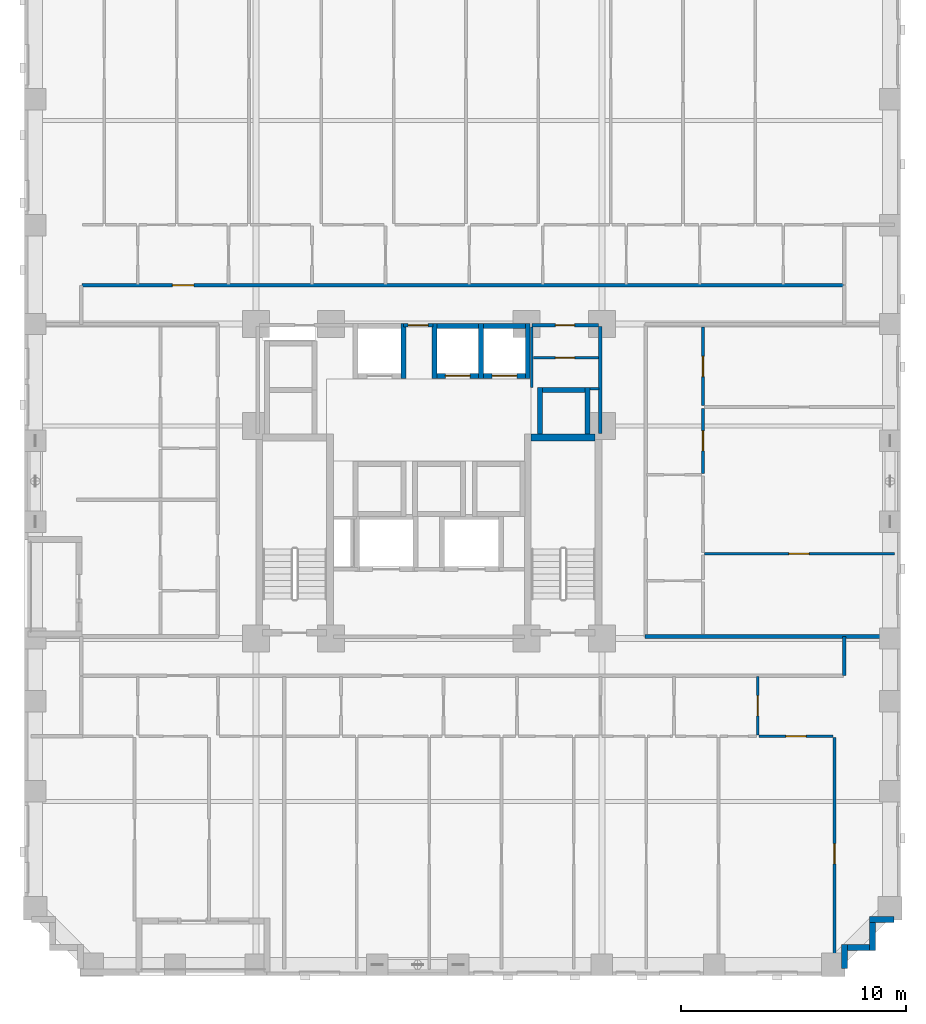
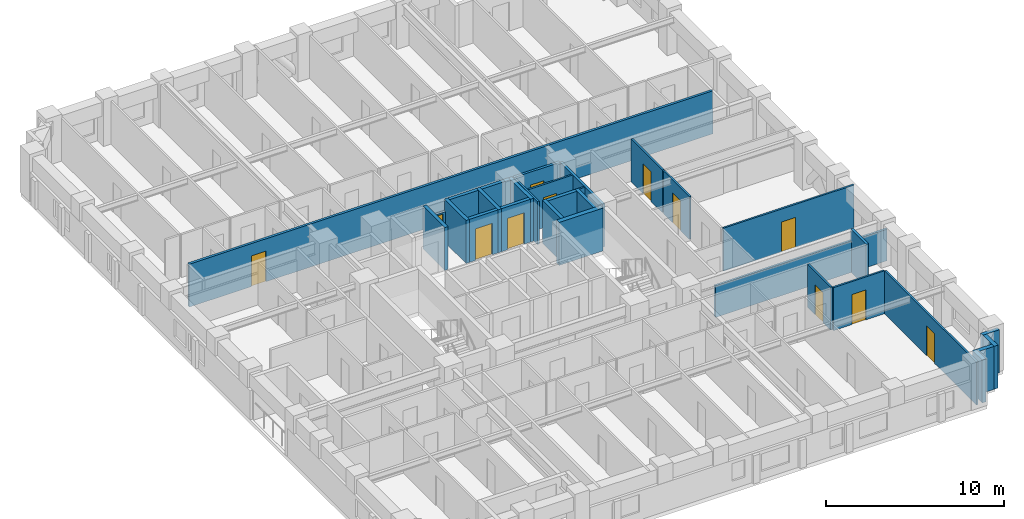
# One storey, part 6 of 14: 31 walls, 12 doors, 12 openings.
"""IFC4 building model written with IfcOpenShell, lengths in metres."""

from ifc_helpers import new_model, si_unit, derived_unit, direction, frame, frame_2d, origin, place, context, subcontext, project, spatial, rectangle, extrude, material, layer, layer_set, type_object, element, fill, save


model = new_model("IFC4")

# Units and contexts
model_context = context("Model", 3, precision=1e-05, world=origin(), true_north=direction((0.0, 1.0)))
body_context = subcontext(model_context, "Body", "Model", "MODEL_VIEW")
ifc_project = project(units=[si_unit("LENGTHUNIT", "METRE"), si_unit("AREAUNIT", "SQUARE_METRE"), si_unit("VOLUMEUNIT", "CUBIC_METRE"), si_unit("PLANEANGLEUNIT", "RADIAN"), si_unit("MASSUNIT", "GRAM", prefix="KILO"), derived_unit("THERMALTRANSMITTANCEUNIT", [(si_unit("MASSUNIT", "GRAM", prefix="KILO"), 1), (si_unit("TIMEUNIT", "SECOND"), -3), (si_unit("THERMODYNAMICTEMPERATUREUNIT", "KELVIN"), -1)])], contexts=[model_context])

# Site, building, storey
site_placement = place(None, origin())
site = spatial("IfcSite", under=ifc_project, at=site_placement, CompositionType="ELEMENT")
building_placement = place(site_placement, origin())
building = spatial("IfcBuilding", under=site, at=building_placement, Name="Korrvale Station Residences", CompositionType="ELEMENT")
storey_placement = place(building_placement, frame((0.0, 0.0, 41.800048828125)))
storey = spatial("IfcBuildingStorey", under=building, at=storey_placement, Name="L10", CompositionType="ELEMENT", Elevation=41.800048828125)

# Walls
ifc_material_1 = material(Name="Concrete C70/85", Category="concrete")
ifc_layer_1 = layer(ifc_material_1, 0.300048828125, Name="Concrete C70/85")
ifc_layer_set_1 = layer_set([ifc_layer_1], Name="Concrete C70/85")
wall_type_1 = type_object("IfcWallType", Name="WAL-CORE-300-C70", PredefinedType="SHEAR", material=ifc_layer_set_1)
wall_1_placement = place(storey_placement, frame((30.050048828125, 23.949951171875, 0.0), z_axis=(0.0, 0.0, 1.0), x_axis=(1.0, 0.0, 0.0)))
element("IfcWall", 1, at=wall_1_placement, inside=storey, type_object=wall_type_1, Name="L10 ST-2 Core Shear Wall North", PredefinedType="SHEAR", context=body_context, shape_type="SweptSolid", body=[
    extrude(rectangle(XDim=2.849853515625, YDim=0.300048828125, at=frame_2d((1.4248046875, 0.0))), origin(), (0.0, 0.0, 1.0), 2.93994140625),
])
ifc_material_2 = material(Name="Precast concrete C45/55", Category="concrete")
ifc_layer_2 = layer(ifc_material_2, 0.260009765625, Name="Precast concrete C45/55")
ifc_layer_set_2 = layer_set([ifc_layer_2], Name="Precast concrete C45/55")
wall_type_2 = type_object("IfcWallType", Name="WAL-EXT-LOG260", PredefinedType="SOLIDWALL", material=ifc_layer_set_2)
wall_2_placement = place(storey_placement, frame((46.197998046875, 2.5, 0.0), z_axis=(0.0, 0.0, 1.0), x_axis=(-1.0, 0.0, 0.0)))
element("IfcWall", 2, at=wall_2_placement, inside=storey, type_object=wall_type_2, Name="L10 Serrated Corner Precast Step SE-1", PredefinedType="SOLIDWALL", context=body_context, shape_type="SweptSolid", body=[
    extrude(rectangle(XDim=1.077880859375, YDim=0.260009765625, at=frame_2d((0.5390625, 0.0))), origin(), (0.0, 0.0, 1.0), 2.93994140625),
])
wall_3_placement = place(storey_placement, frame((45.25, 2.367919921875, 0.0), z_axis=(0.0, 0.0, 1.0), x_axis=(0.0, -1.0, 0.0)))
element("IfcWall", 3, at=wall_3_placement, inside=storey, type_object=wall_type_2, Name="L10 Serrated Corner Precast Step SE-2", PredefinedType="SOLIDWALL", context=body_context, shape_type="SweptSolid", body=[
    extrude(rectangle(XDim=1.247802734375, YDim=0.260009765625, at=frame_2d((0.6240234375, 0.0))), origin(), (0.0, 0.0, 1.0), 2.93994140625),
])
wall_4_placement = place(storey_placement, frame((45.117919921875, 1.25, 0.0), z_axis=(0.0, 0.0, 1.0), x_axis=(-1.0, 0.0, 0.0)))
element("IfcWall", 4, at=wall_4_placement, inside=storey, type_object=wall_type_2, Name="L10 Serrated Corner Precast Step SE-3", PredefinedType="SOLIDWALL", context=body_context, shape_type="SweptSolid", body=[
    extrude(rectangle(XDim=0.98583984375, YDim=0.260009765625, at=frame_2d((0.492919921875, 0.0))), origin(), (0.0, 0.0, 1.0), 2.93994140625),
])
wall_5_placement = place(storey_placement, frame((44.0, 1.3798828125, 0.0), z_axis=(0.0, 0.0, 1.0), x_axis=(0.0, -1.0, 0.0)))
element("IfcWall", 5, at=wall_5_placement, inside=storey, type_object=wall_type_2, Name="L10 Serrated Corner Precast Step SE-4", PredefinedType="SOLIDWALL", context=body_context, shape_type="SweptSolid", body=[
    extrude(rectangle(XDim=1.077880859375, YDim=0.260009765625, at=frame_2d((0.5390625, 0.0))), origin(), (0.0, 0.0, 1.0), 2.93994140625),
])
ifc_material_3 = material(Name="Acoustic steel-stud gypsum board partition", Category="steel")
ifc_layer_3 = layer(ifc_material_3, 0.1201171875, Name="Acoustic steel-stud gypsum board partition")
ifc_layer_set_3 = layer_set([ifc_layer_3], Name="Acoustic steel-stud gypsum board partition")
wall_type_3 = type_object("IfcWallType", Name="WAL-PART-125", PredefinedType="PARTITIONING", material=ifc_layer_set_3)
wall_6_placement = place(storey_placement, frame((30.080078125, 26.179931640625, 0.0), z_axis=(0.0, 0.0, 1.0), x_axis=(0.0, 1.0, 0.0)))
element("IfcWall", 6, at=wall_6_placement, inside=storey, type_object=wall_type_3, Name="L10 Core Partition CW-CS-W", PredefinedType="PARTITIONING", context=body_context, shape_type="SweptSolid", body=[
    extrude(rectangle(XDim=2.68017578125, YDim=0.1201171875, at=frame_2d((1.340087890625, 0.0))), origin(), (0.0, 0.0, 1.0), 2.93994140625),
])
wall_7_placement = place(storey_placement, frame((32.679931640625, 26.1201171875, 0.0), z_axis=(0.0, 0.0, 1.0), x_axis=(1.0, 0.0, 0.0)))
element("IfcWall", 7, at=wall_7_placement, inside=storey, type_object=wall_type_3, Name="L10 Core Partition CW-CS-S", PredefinedType="PARTITIONING", context=body_context, shape_type="SweptSolid", body=[
    extrude(rectangle(XDim=0.380126953125, YDim=0.1201171875, at=frame_2d((0.18994140625, 0.0))), origin(), (0.0, 0.0, 1.0), 2.93994140625),
])

# Wall, opening, door
wall_8_placement = place(storey_placement, frame((30.159912109375, 27.5, 0.0), z_axis=(0.0, 0.0, 1.0), x_axis=(1.0, 0.0, 0.0)))
wall_8 = element("IfcWall", 8, at=wall_8_placement, inside=storey, type_object=wall_type_3, Name="L10 Core Partition CW-CS-H", PredefinedType="PARTITIONING", context=body_context, shape_type="SweptSolid", body=[
    extrude(rectangle(XDim=2.880126953125, YDim=0.1201171875, at=frame_2d((1.43994140625, 0.0))), origin(), (0.0, 0.0, 1.0), 2.93994140625),
])
opening_1_placement = place(wall_8_placement, frame((0.969970703125, 0.0, 0.0)))
opening_1 = element("IfcOpeningElement", 9, at=opening_1_placement, cuts=wall_8, Name="Opening DB-860", PredefinedType="OPENING", context=body_context, shape_type="SweptSolid", body=[
    extrude(rectangle(XDim=0.860107421875, YDim=2.050048828125, at=frame_2d((0.43017578125, 1.02490234375))), frame((0.0, 0.070068359375, 0.0), z_axis=(0.0, -1.0, 0.0), x_axis=(1.0, 0.0, 0.0)), (0.0, 0.0, 1.0), 0.14013671875),
])
ifc_material_4 = material(Name="Moisture-resistant solid-core bathroom door", Category="timber")
door_type_1 = type_object("IfcDoorType", Name="DR-BATH-860", OperationType="NOTDEFINED", PredefinedType="DOOR", material=ifc_material_4)
door_1_placement = place(opening_1_placement, origin())
door_1 = element("IfcDoor", 10, at=door_1_placement, inside=storey, type_object=door_type_1, Name="L10 Mail Sorting Inner Door", OperationType="SINGLE_SWING_LEFT", OverallHeight=2.050048828125, OverallWidth=0.860107421875, PredefinedType="DOOR", context=body_context, shape_type="SweptSolid", body=[
    extrude(rectangle(XDim=0.860107421875, YDim=2.050048828125, at=frame_2d((0.43017578125, 1.02490234375))), frame((0.0, 0.02490234375, 0.0), z_axis=(0.0, -1.0, 0.0), x_axis=(1.0, 0.0, 0.0)), (0.0, 0.0, 1.0), 0.050048828125),
])
fill(opening_1, door_1)

wall_9_placement = place(storey_placement, frame((40.1298828125, 10.7099609375, 0.0), z_axis=(0.0, 0.0, 1.0), x_axis=(0.0, 1.0, 0.0)))
wall_9 = element("IfcWall", 11, at=wall_9_placement, inside=storey, type_object=wall_type_3, Name="L10 Suite Partition U02-V56", PredefinedType="PARTITIONING", context=body_context, shape_type="SweptSolid", body=[
    extrude(rectangle(XDim=2.60009765625, YDim=0.1201171875, at=frame_2d((1.300048828125, 0.0))), origin(), (0.0, 0.0, 1.0), 2.93994140625),
])
opening_2_placement = place(wall_9_placement, frame((0.85009765625, 0.0, 0.0)))
opening_2 = element("IfcOpeningElement", 12, at=opening_2_placement, cuts=wall_9, Name="Opening DI-900", PredefinedType="OPENING", context=body_context, shape_type="SweptSolid", body=[
    extrude(rectangle(XDim=0.89990234375, YDim=2.050048828125, at=frame_2d((0.449951171875, 1.02490234375))), frame((0.0, 0.070068359375, 0.0), z_axis=(0.0, -1.0, 0.0), x_axis=(1.0, 0.0, 0.0)), (0.0, 0.0, 1.0), 0.14013671875),
])
ifc_material_5 = material(Name="Painted solid-core timber interior room door", Category="wood")
door_type_2 = type_object("IfcDoorType", Name="DR-INT-900", OperationType="NOTDEFINED", PredefinedType="DOOR", material=ifc_material_5)
door_2_placement = place(opening_2_placement, origin())
door_2 = element("IfcDoor", 13, at=door_2_placement, inside=storey, type_object=door_type_2, Name="L10 Studio Apartment L10-U02 Storage Closet 4 Door", OperationType="SINGLE_SWING_LEFT", OverallHeight=2.050048828125, OverallWidth=0.89990234375, PredefinedType="DOOR", context=body_context, shape_type="SweptSolid", body=[
    extrude(rectangle(XDim=0.89990234375, YDim=2.050048828125, at=frame_2d((0.449951171875, 1.02490234375))), frame((0.0, 0.02490234375, 0.0), z_axis=(0.0, -1.0, 0.0), x_axis=(1.0, 0.0, 0.0)), (0.0, 0.0, 1.0), 0.050048828125),
])
fill(opening_2, door_2)

wall_10_placement = place(storey_placement, frame((40.18994140625, 10.64990234375, 0.0), z_axis=(0.0, 0.0, 1.0), x_axis=(1.0, 0.0, 0.0)))
wall_10 = element("IfcWall", 14, at=wall_10_placement, inside=storey, type_object=wall_type_3, Name="L10 Suite Partition U02-H613", PredefinedType="PARTITIONING", context=body_context, shape_type="SweptSolid", body=[
    extrude(rectangle(XDim=3.300048828125, YDim=0.1201171875, at=frame_2d((1.64990234375, 0.0))), origin(), (0.0, 0.0, 1.0), 2.93994140625),
])
opening_3_placement = place(wall_10_placement, frame((1.199951171875, 0.0, 0.0)))
opening_3 = element("IfcOpeningElement", 15, at=opening_3_placement, cuts=wall_10, Name="Opening DI-900", PredefinedType="OPENING", context=body_context, shape_type="SweptSolid", body=[
    extrude(rectangle(XDim=0.89990234375, YDim=2.050048828125, at=frame_2d((0.449951171875, 1.02490234375))), frame((0.0, 0.070068359375, 0.0), z_axis=(0.0, -1.0, 0.0), x_axis=(1.0, 0.0, 0.0)), (0.0, 0.0, 1.0), 0.14013671875),
])
door_3_placement = place(opening_3_placement, origin())
door_3 = element("IfcDoor", 16, at=door_3_placement, inside=storey, type_object=door_type_2, Name="L10 Studio Apartment L10-U02 Storage Closet 5 Door", OperationType="SINGLE_SWING_RIGHT", OverallHeight=2.050048828125, OverallWidth=0.89990234375, PredefinedType="DOOR", context=body_context, shape_type="SweptSolid", body=[
    extrude(rectangle(XDim=0.89990234375, YDim=2.050048828125, at=frame_2d((0.449951171875, 1.02490234375))), frame((0.0, 0.02490234375, 0.0), z_axis=(0.0, -1.0, 0.0), x_axis=(1.0, 0.0, 0.0)), (0.0, 0.0, 1.0), 0.050048828125),
])
fill(opening_3, door_3)

wall_11_placement = place(storey_placement, frame((43.550048828125, 0.280029296875, 0.0), z_axis=(0.0, 0.0, 1.0), x_axis=(0.0, 1.0, 0.0)))
wall_11 = element("IfcWall", 17, at=wall_11_placement, inside=storey, type_object=wall_type_3, Name="L10 Suite Partition U02-V1314", PredefinedType="PARTITIONING", context=body_context, shape_type="SweptSolid", body=[
    extrude(rectangle(XDim=10.31005859375, YDim=0.1201171875, at=frame_2d((5.155029296875, 0.0))), origin(), (0.0, 0.0, 1.0), 2.93994140625),
])
opening_4_placement = place(wall_11_placement, frame((4.68994140625, 0.0, 0.0)))
opening_4 = element("IfcOpeningElement", 18, at=opening_4_placement, cuts=wall_11, Name="Opening DI-900", PredefinedType="OPENING", context=body_context, shape_type="SweptSolid", body=[
    extrude(rectangle(XDim=0.89990234375, YDim=2.050048828125, at=frame_2d((0.449951171875, 1.02490234375))), frame((0.0, 0.070068359375, 0.0), z_axis=(0.0, -1.0, 0.0), x_axis=(1.0, 0.0, 0.0)), (0.0, 0.0, 1.0), 0.14013671875),
])
door_4_placement = place(opening_4_placement, origin())
door_4 = element("IfcDoor", 19, at=door_4_placement, inside=storey, type_object=door_type_2, Name="L10 Studio Apartment L10-U02 Studio Living Room Door", OperationType="SINGLE_SWING_LEFT", OverallHeight=2.050048828125, OverallWidth=0.89990234375, PredefinedType="DOOR", context=body_context, shape_type="SweptSolid", body=[
    extrude(rectangle(XDim=0.89990234375, YDim=2.050048828125, at=frame_2d((0.449951171875, 1.02490234375))), frame((0.0, 0.02490234375, 0.0), z_axis=(0.0, -1.0, 0.0), x_axis=(1.0, 0.0, 0.0)), (0.0, 0.0, 1.0), 0.050048828125),
])
fill(opening_4, door_4)

wall_12_placement = place(storey_placement, frame((37.699951171875, 22.35009765625, 0.0), z_axis=(0.0, 0.0, 1.0), x_axis=(0.0, 1.0, 0.0)))
wall_12 = element("IfcWall", 20, at=wall_12_placement, inside=storey, type_object=wall_type_3, Name="L10 Suite Partition U06-V04", PredefinedType="PARTITIONING", context=body_context, shape_type="SweptSolid", body=[
    extrude(rectangle(XDim=2.890869140625, YDim=0.1201171875, at=frame_2d((1.4453125, 0.0))), origin(), (0.0, 0.0, 1.0), 2.93994140625),
])
opening_5_placement = place(wall_12_placement, frame((0.9951171875, 0.0, 0.0)))
opening_5 = element("IfcOpeningElement", 21, at=opening_5_placement, cuts=wall_12, Name="Opening DI-900", PredefinedType="OPENING", context=body_context, shape_type="SweptSolid", body=[
    extrude(rectangle(XDim=0.89990234375, YDim=2.050048828125, at=frame_2d((0.449951171875, 1.02490234375))), frame((0.0, 0.070068359375, 0.0), z_axis=(0.0, -1.0, 0.0), x_axis=(1.0, 0.0, 0.0)), (0.0, 0.0, 1.0), 0.14013671875),
])
door_5_placement = place(opening_5_placement, origin())
door_5 = element("IfcDoor", 22, at=door_5_placement, inside=storey, type_object=door_type_2, Name="L10 Apartment 2BR L10-U06 Wardrobe Storage Room Door", OperationType="SINGLE_SWING_RIGHT", OverallHeight=2.050048828125, OverallWidth=0.89990234375, PredefinedType="DOOR", context=body_context, shape_type="SweptSolid", body=[
    extrude(rectangle(XDim=0.89990234375, YDim=2.050048828125, at=frame_2d((0.449951171875, 1.02490234375))), frame((0.0, 0.02490234375, 0.0), z_axis=(0.0, -1.0, 0.0), x_axis=(1.0, 0.0, 0.0)), (0.0, 0.0, 1.0), 0.050048828125),
])
fill(opening_5, door_5)

wall_13_placement = place(storey_placement, frame((37.699951171875, 25.361083984375, 0.0), z_axis=(0.0, 0.0, 1.0), x_axis=(0.0, 1.0, 0.0)))
wall_13 = element("IfcWall", 23, at=wall_13_placement, inside=storey, type_object=wall_type_3, Name="L10 Suite Partition U06-V05", PredefinedType="PARTITIONING", context=body_context, shape_type="SweptSolid", body=[
    extrude(rectangle(XDim=3.4990234375, YDim=0.1201171875, at=frame_2d((1.74951171875, 0.0))), origin(), (0.0, 0.0, 1.0), 2.93994140625),
])
opening_6_placement = place(wall_13_placement, frame((1.299072265625, 0.0, 0.0)))
opening_6 = element("IfcOpeningElement", 24, at=opening_6_placement, cuts=wall_13, Name="Opening DI-900", PredefinedType="OPENING", context=body_context, shape_type="SweptSolid", body=[
    extrude(rectangle(XDim=0.89990234375, YDim=2.050048828125, at=frame_2d((0.449951171875, 1.02490234375))), frame((0.0, 0.070068359375, 0.0), z_axis=(0.0, -1.0, 0.0), x_axis=(1.0, 0.0, 0.0)), (0.0, 0.0, 1.0), 0.14013671875),
])
door_6_placement = place(opening_6_placement, origin())
door_6 = element("IfcDoor", 25, at=door_6_placement, inside=storey, type_object=door_type_2, Name="L10 Apartment 2BR L10-U06 Wardrobe Storage Room Door", OperationType="SINGLE_SWING_LEFT", OverallHeight=2.050048828125, OverallWidth=0.89990234375, PredefinedType="DOOR", context=body_context, shape_type="SweptSolid", body=[
    extrude(rectangle(XDim=0.89990234375, YDim=2.050048828125, at=frame_2d((0.449951171875, 1.02490234375))), frame((0.0, 0.02490234375, 0.0), z_axis=(0.0, -1.0, 0.0), x_axis=(1.0, 0.0, 0.0)), (0.0, 0.0, 1.0), 0.050048828125),
])
fill(opening_6, door_6)

wall_14_placement = place(storey_placement, frame((37.760009765625, 18.76904296875, 0.0), z_axis=(0.0, 0.0, 1.0), x_axis=(1.0, 0.0, 0.0)))
wall_14 = element("IfcWall", 26, at=wall_14_placement, inside=storey, type_object=wall_type_3, Name="L10 Suite Partition U06-H34", PredefinedType="PARTITIONING", context=body_context, shape_type="SweptSolid", body=[
    extrude(rectangle(XDim=8.4599609375, YDim=0.1201171875, at=frame_2d((4.22998046875, 0.0))), origin(), (0.0, 0.0, 1.0), 2.93994140625),
])
opening_7_placement = place(wall_14_placement, frame((3.764892578125, 0.0, 0.0)))
opening_7 = element("IfcOpeningElement", 27, at=opening_7_placement, cuts=wall_14, Name="Opening DI-900", PredefinedType="OPENING", context=body_context, shape_type="SweptSolid", body=[
    extrude(rectangle(XDim=0.89990234375, YDim=2.050048828125, at=frame_2d((0.449951171875, 1.02490234375))), frame((0.0, 0.070068359375, 0.0), z_axis=(0.0, -1.0, 0.0), x_axis=(1.0, 0.0, 0.0)), (0.0, 0.0, 1.0), 0.14013671875),
])
door_7_placement = place(opening_7_placement, origin())
door_7 = element("IfcDoor", 28, at=door_7_placement, inside=storey, type_object=door_type_2, Name="L10 Apartment 2BR L10-U06 Bedroom 1 Door", OperationType="SINGLE_SWING_RIGHT", OverallHeight=2.050048828125, OverallWidth=0.89990234375, PredefinedType="DOOR", context=body_context, shape_type="SweptSolid", body=[
    extrude(rectangle(XDim=0.89990234375, YDim=2.050048828125, at=frame_2d((0.449951171875, 1.02490234375))), frame((0.0, 0.02490234375, 0.0), z_axis=(0.0, -1.0, 0.0), x_axis=(1.0, 0.0, 0.0)), (0.0, 0.0, 1.0), 0.050048828125),
])
fill(opening_7, door_7)

# Wall
ifc_material_6 = material(Name="Fire-rated twin-stud gypsum and mineral wool shaftwall assembly", Category="gypsum")
ifc_layer_4 = layer(ifc_material_6, 0.159912109375, Name="Fire-rated twin-stud gypsum and mineral wool shaftwall assembly")
ifc_layer_set_4 = layer_set([ifc_layer_4], Name="Fire-rated twin-stud gypsum and mineral wool shaftwall assembly")
wall_type_4 = type_object("IfcWallType", Name="WAL-PART-200", PredefinedType="PARTITIONING", material=ifc_layer_set_4)
wall_15_placement = place(storey_placement, frame((33.1201171875, 24.1201171875, 0.0), z_axis=(0.0, 0.0, 1.0), x_axis=(0.0, 1.0, 0.0)))
element("IfcWall", 29, at=wall_15_placement, inside=storey, type_object=wall_type_4, Name="L10 Core Partition CW-E-N", PredefinedType="PARTITIONING", context=body_context, shape_type="SweptSolid", body=[
    extrude(rectangle(XDim=4.759765625, YDim=0.159912109375, at=frame_2d((2.3798828125, 0.0))), origin(), (0.0, 0.0, 1.0), 2.93994140625),
])

# Wall, opening, door
wall_16_placement = place(storey_placement, frame((24.360107421875, 28.949951171875, 0.0), z_axis=(0.0, 0.0, 1.0), x_axis=(1.0, 0.0, 0.0)))
wall_16 = element("IfcWall", 30, at=wall_16_placement, inside=storey, type_object=wall_type_4, Name="L10 Core Partition CW-LLOB-N", PredefinedType="PARTITIONING", context=body_context, shape_type="SweptSolid", body=[
    extrude(rectangle(XDim=1.31982421875, YDim=0.159912109375, at=frame_2d((0.659912109375, 0.0))), origin(), (0.0, 0.0, 1.0), 2.155029296875),
])
opening_8_placement = place(wall_16_placement, frame((0.2099609375, 0.0, 0.0)))
opening_8 = element("IfcOpeningElement", 31, at=opening_8_placement, cuts=wall_16, Name="Opening DI-900", PredefinedType="OPENING", context=body_context, shape_type="SweptSolid", body=[
    extrude(rectangle(XDim=0.89990234375, YDim=2.050048828125, at=frame_2d((0.449951171875, 1.02490234375))), frame((0.0, 0.08984375, 0.0), z_axis=(0.0, -1.0, 0.0), x_axis=(1.0, 0.0, 0.0)), (0.0, 0.0, 1.0), 0.179931640625),
])
door_8_placement = place(opening_8_placement, origin())
door_8 = element("IfcDoor", 32, at=door_8_placement, inside=storey, type_object=door_type_2, Name="L10 Central Hallway North Passage Door", OperationType="SINGLE_SWING_LEFT", OverallHeight=2.050048828125, OverallWidth=0.89990234375, PredefinedType="DOOR", context=body_context, shape_type="SweptSolid", body=[
    extrude(rectangle(XDim=0.89990234375, YDim=2.050048828125, at=frame_2d((0.449951171875, 1.02490234375))), frame((0.0, 0.02490234375, 0.0), z_axis=(0.0, -1.0, 0.0), x_axis=(1.0, 0.0, 0.0)), (0.0, 0.0, 1.0), 0.050048828125),
])
fill(opening_8, door_8)

wall_17_placement = place(storey_placement, frame((30.080078125, 28.949951171875, 0.0), z_axis=(0.0, 0.0, 1.0), x_axis=(1.0, 0.0, 0.0)))
wall_17 = element("IfcWall", 33, at=wall_17_placement, inside=storey, type_object=wall_type_4, Name="L10 Core Partition CW-CS-N", PredefinedType="PARTITIONING", context=body_context, shape_type="SweptSolid", body=[
    extrude(rectangle(XDim=2.9599609375, YDim=0.159912109375, at=frame_2d((1.47998046875, 0.0))), origin(), (0.0, 0.0, 1.0), 2.93994140625),
])
opening_9_placement = place(wall_17_placement, frame((1.044921875, 0.0, 0.0)))
opening_9 = element("IfcOpeningElement", 34, at=opening_9_placement, cuts=wall_17, Name="Opening DB-860", PredefinedType="OPENING", context=body_context, shape_type="SweptSolid", body=[
    extrude(rectangle(XDim=0.860107421875, YDim=2.050048828125, at=frame_2d((0.43017578125, 1.02490234375))), frame((0.0, 0.08984375, 0.0), z_axis=(0.0, -1.0, 0.0), x_axis=(1.0, 0.0, 0.0)), (0.0, 0.0, 1.0), 0.179931640625),
])
door_9_placement = place(opening_9_placement, origin())
door_9 = element("IfcDoor", 35, at=door_9_placement, inside=storey, type_object=door_type_1, Name="L10 Housekeeping Pantry Door", OperationType="SINGLE_SWING_RIGHT", OverallHeight=2.050048828125, OverallWidth=0.860107421875, PredefinedType="DOOR", context=body_context, shape_type="SweptSolid", body=[
    extrude(rectangle(XDim=0.860107421875, YDim=2.050048828125, at=frame_2d((0.43017578125, 1.02490234375))), frame((0.0, 0.02490234375, 0.0), z_axis=(0.0, -1.0, 0.0), x_axis=(1.0, 0.0, 0.0)), (0.0, 0.0, 1.0), 0.050048828125),
])
fill(opening_9, door_9)

# Walls
wall_18_placement = place(storey_placement, frame((43.97998046875, 13.35009765625, 0.0), z_axis=(0.0, 0.0, 1.0), x_axis=(0.0, 1.0, 0.0)))
element("IfcWall", 36, at=wall_18_placement, inside=storey, type_object=wall_type_4, Name="L10 Corridor South East Cap", PredefinedType="PARTITIONING", context=body_context, shape_type="SweptSolid", body=[
    extrude(rectangle(XDim=1.739990234375, YDim=0.159912109375, at=frame_2d((0.8701171875, 0.0))), origin(), (0.0, 0.0, 1.0), 2.93994140625),
])
wall_19_placement = place(storey_placement, frame((35.110107421875, 15.090087890625, 0.0), z_axis=(0.0, 0.0, 1.0), x_axis=(1.0, 0.0, 0.0)))
element("IfcWall", 37, at=wall_19_placement, inside=storey, type_object=wall_type_4, Name="L10 East Wing South Corridor Wall", PredefinedType="PARTITIONING", context=body_context, shape_type="SweptSolid", body=[
    extrude(rectangle(XDim=11.10986328125, YDim=0.159912109375, at=frame_2d((5.554931640625, 0.0))), origin(), (0.0, 0.0, 1.0), 2.155029296875),
])

# Wall, opening, door
wall_20_placement = place(storey_placement, frame((10.050048828125, 30.719970703125, 0.0), z_axis=(0.0, 0.0, 1.0), x_axis=(1.0, 0.0, 0.0)))
wall_20 = element("IfcWall", 38, at=wall_20_placement, inside=storey, type_object=wall_type_4, Name="L10 Rated Corridor Wall N", PredefinedType="PARTITIONING", context=body_context, shape_type="SweptSolid", body=[
    extrude(rectangle(XDim=33.89990234375, YDim=0.159912109375, at=frame_2d((16.949951171875, 0.0))), origin(), (0.0, 0.0, 1.0), 2.93994140625),
])
opening_10_placement = place(wall_20_placement, frame((4.034912109375, 0.0, 0.0)))
opening_10 = element("IfcOpeningElement", 39, at=opening_10_placement, cuts=wall_20, Name="Opening UD-950", PredefinedType="OPENING", context=body_context, shape_type="SweptSolid", body=[
    extrude(rectangle(XDim=0.949951171875, YDim=2.10009765625, at=frame_2d((0.47509765625, 1.050048828125))), frame((0.0, 0.08984375, 0.0), z_axis=(0.0, -1.0, 0.0), x_axis=(1.0, 0.0, 0.0)), (0.0, 0.0, 1.0), 0.179931640625),
])
ifc_material_7 = material(Name="Solid-core acoustic oak apartment entrance door", Category="timber")
door_type_3 = type_object("IfcDoorType", Name="DR-UNIT-950", OperationType="NOTDEFINED", PredefinedType="DOOR", material=ifc_material_7)
door_10_placement = place(opening_10_placement, origin())
door_10 = element("IfcDoor", 40, at=door_10_placement, inside=storey, type_object=door_type_3, Name="L10 Apartment L10-U03 Entrance Door", OperationType="SINGLE_SWING_RIGHT", OverallHeight=2.10009765625, OverallWidth=0.949951171875, PredefinedType="DOOR", context=body_context, shape_type="SweptSolid", body=[
    extrude(rectangle(XDim=0.949951171875, YDim=2.10009765625, at=frame_2d((0.47509765625, 1.050048828125))), frame((0.0, 0.02490234375, 0.0), z_axis=(0.0, -1.0, 0.0), x_axis=(1.0, 0.0, 0.0)), (0.0, 0.0, 1.0), 0.050048828125),
])
fill(opening_10, door_10)

# Wall
ifc_layer_5 = layer(ifc_material_1, 0.219970703125, Name="Concrete C70/85")
ifc_layer_set_5 = layer_set([ifc_layer_5], Name="Concrete C70/85")
wall_type_5 = type_object("IfcWallType", Name="WAL-SHAFT-220-C70", PredefinedType="SHEAR", material=ifc_layer_set_5)
wall_21_placement = place(storey_placement, frame((24.360107421875, 26.580078125, 0.0), z_axis=(0.0, 0.0, 1.0), x_axis=(0.0, 1.0, 0.0)))
element("IfcWall", 41, at=wall_21_placement, inside=storey, type_object=wall_type_5, Name="L10 Elevator PL-1 Hoistway Wall East", PredefinedType="SHEAR", context=body_context, shape_type="SweptSolid", body=[
    extrude(rectangle(XDim=2.43994140625, YDim=0.219970703125, at=frame_2d((1.219970703125, 0.0))), origin(), (0.0, 0.0, 1.0), 2.93994140625),
])

# Wall, opening, door
wall_22_placement = place(storey_placement, frame((25.85009765625, 26.68994140625, 0.0), z_axis=(0.0, 0.0, 1.0), x_axis=(1.0, 0.0, 0.0)))
wall_22 = element("IfcWall", 42, at=wall_22_placement, inside=storey, type_object=wall_type_5, Name="L10 Elevator PL-2 Hoistway Wall South", PredefinedType="SHEAR", context=body_context, shape_type="SweptSolid", body=[
    extrude(rectangle(XDim=1.85986328125, YDim=0.219970703125, at=frame_2d((0.929931640625, 0.0))), origin(), (0.0, 0.0, 1.0), 2.93994140625),
])
opening_11_placement = place(wall_22_placement, frame((0.3798828125, 0.0, 0.0)))
opening_11 = element("IfcOpeningElement", 43, at=opening_11_placement, cuts=wall_22, Name="Opening LD-1100", PredefinedType="OPENING", context=body_context, shape_type="SweptSolid", body=[
    extrude(rectangle(XDim=1.10009765625, YDim=2.14990234375, at=frame_2d((0.550048828125, 1.074951171875))), frame((0.0, 0.1201171875, 0.0), z_axis=(0.0, -1.0, 0.0), x_axis=(1.0, 0.0, 0.0)), (0.0, 0.0, 1.0), 0.239990234375),
])
ifc_material_8 = material(Name="Brushed stainless-steel elevator landing sliding door", Category="steel")
door_type_4 = type_object("IfcDoorType", Name="DR-LIFT-1100", OperationType="SLIDING_TO_LEFT", PredefinedType="DOOR", material=ifc_material_8)
door_11_placement = place(opening_11_placement, origin())
door_11 = element("IfcDoor", 44, at=door_11_placement, inside=storey, type_object=door_type_4, Name="L10 Elevator PL-2 Sliding Landing Door", OperationType="SLIDING_TO_LEFT", OverallHeight=2.14990234375, OverallWidth=1.10009765625, PredefinedType="DOOR", context=body_context, shape_type="SweptSolid", body=[
    extrude(rectangle(XDim=1.10009765625, YDim=2.14990234375, at=frame_2d((0.550048828125, 1.074951171875))), frame((0.0, 0.02490234375, 0.0), z_axis=(0.0, -1.0, 0.0), x_axis=(1.0, 0.0, 0.0)), (0.0, 0.0, 1.0), 0.050048828125),
])
fill(opening_11, door_11)

# Walls
wall_23_placement = place(storey_placement, frame((25.85009765625, 28.909912109375, 0.0), z_axis=(0.0, 0.0, 1.0), x_axis=(1.0, 0.0, 0.0)))
element("IfcWall", 45, at=wall_23_placement, inside=storey, type_object=wall_type_5, Name="L10 Elevator PL-2 Hoistway Wall North", PredefinedType="SHEAR", context=body_context, shape_type="SweptSolid", body=[
    extrude(rectangle(XDim=1.85986328125, YDim=0.219970703125, at=frame_2d((0.929931640625, 0.0))), origin(), (0.0, 0.0, 1.0), 2.93994140625),
])
for number, where, z_axis, x_axis, name in (
    (46, (25.739990234375, 26.580078125, 0.0), (0.0, 0.0, 1.0), (0.0, 1.0, 0.0), "L10 Elevator PL-2 Hoistway Wall West"),
    (47, (27.820068359375, 26.580078125, 0.0), (0.0, 0.0, 1.0), (0.0, 1.0, 0.0), "L10 Elevator PL-2 Hoistway Wall East"),
):
    element("IfcWall", number, at=place(storey_placement, frame(where, z_axis=z_axis, x_axis=x_axis)), inside=storey, type_object=wall_type_5, Name=name, PredefinedType="SHEAR", context=body_context, shape_type="SweptSolid", body=[
        extrude(rectangle(XDim=2.43994140625, YDim=0.219970703125, at=frame_2d((1.219970703125, 0.0))), origin(), (0.0, 0.0, 1.0), 2.93994140625),
    ])

# Wall, opening, door
wall_24_placement = place(storey_placement, frame((27.929931640625, 26.68994140625, 0.0), z_axis=(0.0, 0.0, 1.0), x_axis=(1.0, 0.0, 0.0)))
wall_24 = element("IfcWall", 48, at=wall_24_placement, inside=storey, type_object=wall_type_5, Name="L10 Elevator PL-3 Hoistway Wall South", PredefinedType="SHEAR", context=body_context, shape_type="SweptSolid", body=[
    extrude(rectangle(XDim=1.860107421875, YDim=0.219970703125, at=frame_2d((0.93017578125, 0.0))), origin(), (0.0, 0.0, 1.0), 2.93994140625),
])
opening_12_placement = place(wall_24_placement, frame((0.3798828125, 0.0, 0.0)))
opening_12 = element("IfcOpeningElement", 49, at=opening_12_placement, cuts=wall_24, Name="Opening LD-1100", PredefinedType="OPENING", context=body_context, shape_type="SweptSolid", body=[
    extrude(rectangle(XDim=1.10009765625, YDim=2.14990234375, at=frame_2d((0.550048828125, 1.074951171875))), frame((0.0, 0.1201171875, 0.0), z_axis=(0.0, -1.0, 0.0), x_axis=(1.0, 0.0, 0.0)), (0.0, 0.0, 1.0), 0.239990234375),
])
door_12_placement = place(opening_12_placement, origin())
door_12 = element("IfcDoor", 50, at=door_12_placement, inside=storey, type_object=door_type_4, Name="L10 Elevator PL-3 Sliding Landing Door", OperationType="SLIDING_TO_LEFT", OverallHeight=2.14990234375, OverallWidth=1.10009765625, PredefinedType="DOOR", context=body_context, shape_type="SweptSolid", body=[
    extrude(rectangle(XDim=1.10009765625, YDim=2.14990234375, at=frame_2d((0.550048828125, 1.074951171875))), frame((0.0, 0.02490234375, 0.0), z_axis=(0.0, -1.0, 0.0), x_axis=(1.0, 0.0, 0.0)), (0.0, 0.0, 1.0), 0.050048828125),
])
fill(opening_12, door_12)

# Walls
wall_25_placement = place(storey_placement, frame((27.929931640625, 28.909912109375, 0.0), z_axis=(0.0, 0.0, 1.0), x_axis=(1.0, 0.0, 0.0)))
element("IfcWall", 51, at=wall_25_placement, inside=storey, type_object=wall_type_5, Name="L10 Elevator PL-3 Hoistway Wall North", PredefinedType="SHEAR", context=body_context, shape_type="SweptSolid", body=[
    extrude(rectangle(XDim=1.860107421875, YDim=0.219970703125, at=frame_2d((0.93017578125, 0.0))), origin(), (0.0, 0.0, 1.0), 2.93994140625),
])
wall_26_placement = place(storey_placement, frame((29.89990234375, 26.580078125, 0.0), z_axis=(0.0, 0.0, 1.0), x_axis=(0.0, 1.0, 0.0)))
element("IfcWall", 52, at=wall_26_placement, inside=storey, type_object=wall_type_5, Name="L10 Elevator PL-3 Hoistway Wall East", PredefinedType="SHEAR", context=body_context, shape_type="SweptSolid", body=[
    extrude(rectangle(XDim=2.43994140625, YDim=0.219970703125, at=frame_2d((1.219970703125, 0.0))), origin(), (0.0, 0.0, 1.0), 2.93994140625),
])
wall_27_placement = place(storey_placement, frame((30.550048828125, 26.06005859375, 0.0), z_axis=(0.0, 0.0, 1.0), x_axis=(1.0, 0.0, 0.0)))
element("IfcWall", 53, at=wall_27_placement, inside=storey, type_object=wall_type_5, Name="L10 Elevator PH-3 Hoistway Wall North", PredefinedType="SHEAR", context=body_context, shape_type="SweptSolid", body=[
    extrude(rectangle(XDim=1.89990234375, YDim=0.219970703125, at=frame_2d((0.949951171875, 0.0))), origin(), (0.0, 0.0, 1.0), 2.93994140625),
])
for number, where, z_axis, x_axis, name in (
    (54, (30.43994140625, 24.10009765625, 0.0), (0.0, 0.0, 1.0), (0.0, 1.0, 0.0), "L10 Elevator PH-3 Hoistway Wall West"),
    (55, (32.56005859375, 24.10009765625, 0.0), (0.0, 0.0, 1.0), (0.0, 1.0, 0.0), "L10 Elevator PH-3 Hoistway Wall East"),
):
    element("IfcWall", number, at=place(storey_placement, frame(where, z_axis=z_axis, x_axis=x_axis)), inside=storey, type_object=wall_type_5, Name=name, PredefinedType="SHEAR", context=body_context, shape_type="SweptSolid", body=[
        extrude(rectangle(XDim=2.06982421875, YDim=0.219970703125, at=frame_2d((1.034912109375, 0.0))), origin(), (0.0, 0.0, 1.0), 2.93994140625),
    ])

save(model, "model.ifc")
